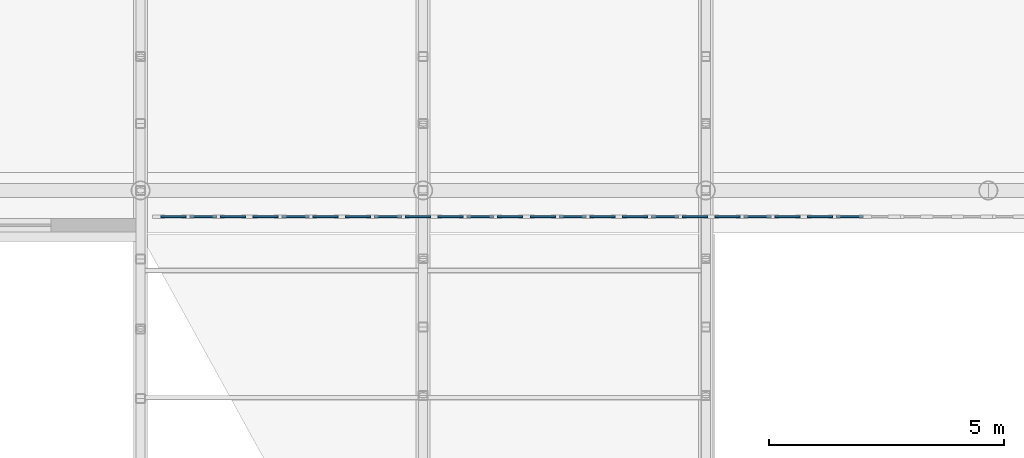
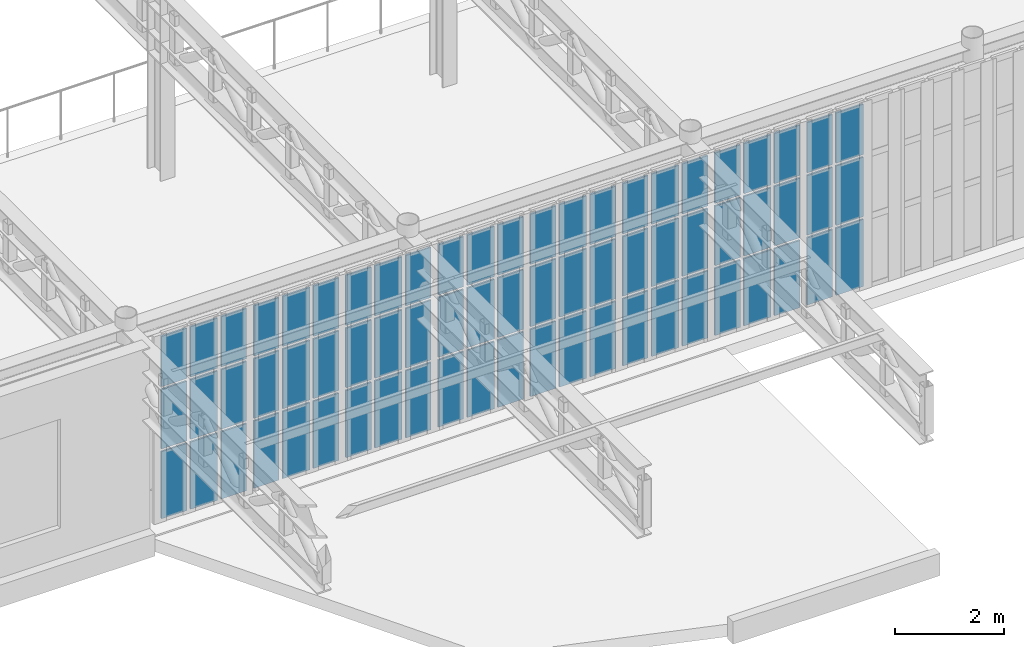
# One storey, part 49 of 91: 69 plates, 8 elements without a shape of their own.
"""IFC4 building model written with IfcOpenShell, lengths in metres."""

from ifc_helpers import new_model, si_unit, direction, frame, origin, origin_2d, place, context, subcontext, project, spatial, rectangle, extrude, material, layer, layer_set, type_object, element, aggregate, save


model = new_model("IFC4")

# Units and contexts
model_context = context("Model", 3, precision=1e-05, world=origin(), true_north=direction((0.0, 1.0)))
body_context = subcontext(model_context, "Body", "Model", "MODEL_VIEW")
ifc_project = project(units=[si_unit("LENGTHUNIT", "METRE"), si_unit("AREAUNIT", "SQUARE_METRE"), si_unit("VOLUMEUNIT", "CUBIC_METRE"), si_unit("PLANEANGLEUNIT", "RADIAN"), si_unit("MASSUNIT", "GRAM", prefix="KILO")], contexts=[model_context])

# Site, building, storey
site_placement = place(None, origin())
site = spatial("IfcSite", under=ifc_project, at=site_placement, CompositionType="ELEMENT")
building_placement = place(site_placement, origin())
building = spatial("IfcBuilding", under=site, at=building_placement, Name="Kolvaren Corner Interchange", CompositionType="ELEMENT")
storey_placement = place(building_placement, frame((0.0, 0.0, 6.0)))
storey = spatial("IfcBuildingStorey", under=building, at=storey_placement, Name="L02", CompositionType="ELEMENT", Elevation=6.0)

# Curtain wall, plates
ifc_material_1 = material(Name="Unitised Aluminium and Solar-Control Glass Curtain Wall", Category="aluminium")
curtain_wall_type = type_object("IfcCurtainWallType", Name="CW-V1-MEZZ", PredefinedType="NOTDEFINED", material=ifc_material_1)
curtain_wall_1_placement = place(storey_placement, origin())
curtain_wall_1 = element("IfcCurtainWall", 1, at=curtain_wall_1_placement, inside=storey, type_object=curtain_wall_type, Name="South Portal Mezzanine Curtain Wall Bay 01", PredefinedType="NOTDEFINED")
ifc_material_2 = material(Name="Low-E Solar-Control Laminated Glass", Category="glass")
ifc_layer = layer(ifc_material_2, 0.035888671875)
ifc_layer_set = layer_set([ifc_layer], Name="Low-E Solar-Control Laminated Glass")
plate_type = type_object("IfcPlateType", Name="PLT-CW-GL32", PredefinedType="CURTAIN_PANEL", material=ifc_layer_set)
plate_1_placement = place(storey_placement, frame((72.695556640625, 24.340087890625, 0.06005859375), z_axis=(0.0, 0.0, 1.0), x_axis=(1.0, 0.0, 0.0)))
plate_1 = element("IfcPlate", 2, at=plate_1_placement, type_object=plate_type, Name="CW-019 panel 1.1", PredefinedType="CURTAIN_PANEL", context=body_context, shape_type="SweptSolid", body=[
    extrude(rectangle(XDim=0.541259765625, YDim=0.035888671875, at=origin_2d()), origin(), (0.0, 0.0, 1.0), 1.510009765625),
])
plate_2_placement = place(storey_placement, frame((72.695556640625, 24.340087890625, 1.6298828125), z_axis=(0.0, 0.0, 1.0), x_axis=(1.0, 0.0, 0.0)))
plate_2 = element("IfcPlate", 3, at=plate_2_placement, type_object=plate_type, Name="CW-019 panel 1.2", PredefinedType="CURTAIN_PANEL", context=body_context, shape_type="SweptSolid", body=[
    extrude(rectangle(XDim=0.541259765625, YDim=0.035888671875, at=origin_2d()), origin(), (0.0, 0.0, 1.0), 1.340087890625),
])
plate_3_placement = place(storey_placement, frame((72.695556640625, 24.340087890625, 3.030029296875), z_axis=(0.0, 0.0, 1.0), x_axis=(1.0, 0.0, 0.0)))
plate_3 = element("IfcPlate", 4, at=plate_3_placement, type_object=plate_type, Name="CW-019 panel 1.3", PredefinedType="CURTAIN_PANEL", context=body_context, shape_type="SweptSolid", body=[
    extrude(rectangle(XDim=0.541259765625, YDim=0.035888671875, at=origin_2d()), origin(), (0.0, 0.0, 1.0), 1.1298828125),
])
plate_4_placement = place(storey_placement, frame((73.33056640625, 24.340087890625, 0.06005859375), z_axis=(0.0, 0.0, 1.0), x_axis=(1.0, 0.0, 0.0)))
plate_4 = element("IfcPlate", 5, at=plate_4_placement, type_object=plate_type, Name="CW-019 panel 2.1", PredefinedType="CURTAIN_PANEL", context=body_context, shape_type="SweptSolid", body=[
    extrude(rectangle(XDim=0.57861328125, YDim=0.035888671875, at=origin_2d()), origin(), (0.0, 0.0, 1.0), 1.510009765625),
])
plate_5_placement = place(storey_placement, frame((73.33056640625, 24.340087890625, 1.6298828125), z_axis=(0.0, 0.0, 1.0), x_axis=(1.0, 0.0, 0.0)))
plate_5 = element("IfcPlate", 6, at=plate_5_placement, type_object=plate_type, Name="CW-019 panel 2.2", PredefinedType="CURTAIN_PANEL", context=body_context, shape_type="SweptSolid", body=[
    extrude(rectangle(XDim=0.57861328125, YDim=0.035888671875, at=origin_2d()), origin(), (0.0, 0.0, 1.0), 1.340087890625),
])
plate_6_placement = place(storey_placement, frame((73.33056640625, 24.340087890625, 3.030029296875), z_axis=(0.0, 0.0, 1.0), x_axis=(1.0, 0.0, 0.0)))
plate_6 = element("IfcPlate", 7, at=plate_6_placement, type_object=plate_type, Name="CW-019 panel 2.3", PredefinedType="CURTAIN_PANEL", context=body_context, shape_type="SweptSolid", body=[
    extrude(rectangle(XDim=0.57861328125, YDim=0.035888671875, at=origin_2d()), origin(), (0.0, 0.0, 1.0), 1.1298828125),
])
plate_7_placement = place(storey_placement, frame((73.965576171875, 24.340087890625, 0.06005859375), z_axis=(0.0, 0.0, 1.0), x_axis=(1.0, 0.0, 0.0)))
plate_7 = element("IfcPlate", 8, at=plate_7_placement, type_object=plate_type, Name="CW-019 panel 3.1", PredefinedType="CURTAIN_PANEL", context=body_context, shape_type="SweptSolid", body=[
    extrude(rectangle(XDim=0.541259765625, YDim=0.035888671875, at=origin_2d()), origin(), (0.0, 0.0, 1.0), 1.510009765625),
])
plate_8_placement = place(storey_placement, frame((73.965576171875, 24.340087890625, 1.6298828125), z_axis=(0.0, 0.0, 1.0), x_axis=(1.0, 0.0, 0.0)))
plate_8 = element("IfcPlate", 9, at=plate_8_placement, type_object=plate_type, Name="CW-019 panel 3.2", PredefinedType="CURTAIN_PANEL", context=body_context, shape_type="SweptSolid", body=[
    extrude(rectangle(XDim=0.541259765625, YDim=0.035888671875, at=origin_2d()), origin(), (0.0, 0.0, 1.0), 1.340087890625),
])
plate_9_placement = place(storey_placement, frame((73.965576171875, 24.340087890625, 3.030029296875), z_axis=(0.0, 0.0, 1.0), x_axis=(1.0, 0.0, 0.0)))
plate_9 = element("IfcPlate", 10, at=plate_9_placement, type_object=plate_type, Name="CW-019 panel 3.3", PredefinedType="CURTAIN_PANEL", context=body_context, shape_type="SweptSolid", body=[
    extrude(rectangle(XDim=0.541259765625, YDim=0.035888671875, at=origin_2d()), origin(), (0.0, 0.0, 1.0), 1.1298828125),
])
aggregate(curtain_wall_1, [plate_1, plate_2, plate_3, plate_4, plate_5, plate_6, plate_7, plate_8, plate_9])

curtain_wall_2_placement = place(storey_placement, origin())
curtain_wall_2 = element("IfcCurtainWall", 11, at=curtain_wall_2_placement, inside=storey, type_object=curtain_wall_type, Name="South Portal Mezzanine Curtain Wall Bay 02", PredefinedType="NOTDEFINED")
plate_10_placement = place(storey_placement, frame((74.65673828125, 24.340087890625, 0.06005859375), z_axis=(0.0, 0.0, 1.0), x_axis=(1.0, 0.0, 0.0)))
plate_10 = element("IfcPlate", 12, at=plate_10_placement, type_object=plate_type, Name="CW-020 panel 1.1", PredefinedType="CURTAIN_PANEL", context=body_context, shape_type="SweptSolid", body=[
    extrude(rectangle(XDim=0.541259765625, YDim=0.035888671875, at=origin_2d()), origin(), (0.0, 0.0, 1.0), 1.510009765625),
])
plate_11_placement = place(storey_placement, frame((74.65673828125, 24.340087890625, 1.6298828125), z_axis=(0.0, 0.0, 1.0), x_axis=(1.0, 0.0, 0.0)))
plate_11 = element("IfcPlate", 13, at=plate_11_placement, type_object=plate_type, Name="CW-020 panel 1.2", PredefinedType="CURTAIN_PANEL", context=body_context, shape_type="SweptSolid", body=[
    extrude(rectangle(XDim=0.541259765625, YDim=0.035888671875, at=origin_2d()), origin(), (0.0, 0.0, 1.0), 1.340087890625),
])
plate_12_placement = place(storey_placement, frame((74.65673828125, 24.340087890625, 3.030029296875), z_axis=(0.0, 0.0, 1.0), x_axis=(1.0, 0.0, 0.0)))
plate_12 = element("IfcPlate", 14, at=plate_12_placement, type_object=plate_type, Name="CW-020 panel 1.3", PredefinedType="CURTAIN_PANEL", context=body_context, shape_type="SweptSolid", body=[
    extrude(rectangle(XDim=0.541259765625, YDim=0.035888671875, at=origin_2d()), origin(), (0.0, 0.0, 1.0), 1.1298828125),
])
plate_13_placement = place(storey_placement, frame((75.291748046875, 24.340087890625, 0.06005859375), z_axis=(0.0, 0.0, 1.0), x_axis=(1.0, 0.0, 0.0)))
plate_13 = element("IfcPlate", 15, at=plate_13_placement, type_object=plate_type, Name="CW-020 panel 2.1", PredefinedType="CURTAIN_PANEL", context=body_context, shape_type="SweptSolid", body=[
    extrude(rectangle(XDim=0.57861328125, YDim=0.035888671875, at=origin_2d()), origin(), (0.0, 0.0, 1.0), 1.510009765625),
])
plate_14_placement = place(storey_placement, frame((75.291748046875, 24.340087890625, 1.6298828125), z_axis=(0.0, 0.0, 1.0), x_axis=(1.0, 0.0, 0.0)))
plate_14 = element("IfcPlate", 16, at=plate_14_placement, type_object=plate_type, Name="CW-020 panel 2.2", PredefinedType="CURTAIN_PANEL", context=body_context, shape_type="SweptSolid", body=[
    extrude(rectangle(XDim=0.57861328125, YDim=0.035888671875, at=origin_2d()), origin(), (0.0, 0.0, 1.0), 1.340087890625),
])
plate_15_placement = place(storey_placement, frame((75.291748046875, 24.340087890625, 3.030029296875), z_axis=(0.0, 0.0, 1.0), x_axis=(1.0, 0.0, 0.0)))
plate_15 = element("IfcPlate", 17, at=plate_15_placement, type_object=plate_type, Name="CW-020 panel 2.3", PredefinedType="CURTAIN_PANEL", context=body_context, shape_type="SweptSolid", body=[
    extrude(rectangle(XDim=0.57861328125, YDim=0.035888671875, at=origin_2d()), origin(), (0.0, 0.0, 1.0), 1.1298828125),
])
plate_16_placement = place(storey_placement, frame((75.926513671875, 24.340087890625, 0.06005859375), z_axis=(0.0, 0.0, 1.0), x_axis=(1.0, 0.0, 0.0)))
plate_16 = element("IfcPlate", 18, at=plate_16_placement, type_object=plate_type, Name="CW-020 panel 3.1", PredefinedType="CURTAIN_PANEL", context=body_context, shape_type="SweptSolid", body=[
    extrude(rectangle(XDim=0.541259765625, YDim=0.035888671875, at=origin_2d()), origin(), (0.0, 0.0, 1.0), 1.510009765625),
])
plate_17_placement = place(storey_placement, frame((75.926513671875, 24.340087890625, 1.6298828125), z_axis=(0.0, 0.0, 1.0), x_axis=(1.0, 0.0, 0.0)))
plate_17 = element("IfcPlate", 19, at=plate_17_placement, type_object=plate_type, Name="CW-020 panel 3.2", PredefinedType="CURTAIN_PANEL", context=body_context, shape_type="SweptSolid", body=[
    extrude(rectangle(XDim=0.541259765625, YDim=0.035888671875, at=origin_2d()), origin(), (0.0, 0.0, 1.0), 1.340087890625),
])
plate_18_placement = place(storey_placement, frame((75.926513671875, 24.340087890625, 3.030029296875), z_axis=(0.0, 0.0, 1.0), x_axis=(1.0, 0.0, 0.0)))
plate_18 = element("IfcPlate", 20, at=plate_18_placement, type_object=plate_type, Name="CW-020 panel 3.3", PredefinedType="CURTAIN_PANEL", context=body_context, shape_type="SweptSolid", body=[
    extrude(rectangle(XDim=0.541259765625, YDim=0.035888671875, at=origin_2d()), origin(), (0.0, 0.0, 1.0), 1.1298828125),
])
aggregate(curtain_wall_2, [plate_10, plate_11, plate_12, plate_13, plate_14, plate_15, plate_16, plate_17, plate_18])

curtain_wall_3_placement = place(storey_placement, origin())
curtain_wall_3 = element("IfcCurtainWall", 21, at=curtain_wall_3_placement, inside=storey, type_object=curtain_wall_type, Name="South Portal Mezzanine Curtain Wall Bay 03", PredefinedType="NOTDEFINED")
plate_19_placement = place(storey_placement, frame((76.617919921875, 24.340087890625, 0.06005859375), z_axis=(0.0, 0.0, 1.0), x_axis=(1.0, 0.0, 0.0)))
plate_19 = element("IfcPlate", 22, at=plate_19_placement, type_object=plate_type, Name="CW-021 panel 1.1", PredefinedType="CURTAIN_PANEL", context=body_context, shape_type="SweptSolid", body=[
    extrude(rectangle(XDim=0.541259765625, YDim=0.035888671875, at=origin_2d()), origin(), (0.0, 0.0, 1.0), 1.510009765625),
])
plate_20_placement = place(storey_placement, frame((76.617919921875, 24.340087890625, 1.6298828125), z_axis=(0.0, 0.0, 1.0), x_axis=(1.0, 0.0, 0.0)))
plate_20 = element("IfcPlate", 23, at=plate_20_placement, type_object=plate_type, Name="CW-021 panel 1.2", PredefinedType="CURTAIN_PANEL", context=body_context, shape_type="SweptSolid", body=[
    extrude(rectangle(XDim=0.541259765625, YDim=0.035888671875, at=origin_2d()), origin(), (0.0, 0.0, 1.0), 1.340087890625),
])
plate_21_placement = place(storey_placement, frame((76.617919921875, 24.340087890625, 3.030029296875), z_axis=(0.0, 0.0, 1.0), x_axis=(1.0, 0.0, 0.0)))
plate_21 = element("IfcPlate", 24, at=plate_21_placement, type_object=plate_type, Name="CW-021 panel 1.3", PredefinedType="CURTAIN_PANEL", context=body_context, shape_type="SweptSolid", body=[
    extrude(rectangle(XDim=0.541259765625, YDim=0.035888671875, at=origin_2d()), origin(), (0.0, 0.0, 1.0), 1.1298828125),
])
plate_22_placement = place(storey_placement, frame((77.252685546875, 24.340087890625, 0.06005859375), z_axis=(0.0, 0.0, 1.0), x_axis=(1.0, 0.0, 0.0)))
plate_22 = element("IfcPlate", 25, at=plate_22_placement, type_object=plate_type, Name="CW-021 panel 2.1", PredefinedType="CURTAIN_PANEL", context=body_context, shape_type="SweptSolid", body=[
    extrude(rectangle(XDim=0.57861328125, YDim=0.035888671875, at=origin_2d()), origin(), (0.0, 0.0, 1.0), 1.510009765625),
])
plate_23_placement = place(storey_placement, frame((77.252685546875, 24.340087890625, 1.6298828125), z_axis=(0.0, 0.0, 1.0), x_axis=(1.0, 0.0, 0.0)))
plate_23 = element("IfcPlate", 26, at=plate_23_placement, type_object=plate_type, Name="CW-021 panel 2.2", PredefinedType="CURTAIN_PANEL", context=body_context, shape_type="SweptSolid", body=[
    extrude(rectangle(XDim=0.57861328125, YDim=0.035888671875, at=origin_2d()), origin(), (0.0, 0.0, 1.0), 1.340087890625),
])
plate_24_placement = place(storey_placement, frame((77.252685546875, 24.340087890625, 3.030029296875), z_axis=(0.0, 0.0, 1.0), x_axis=(1.0, 0.0, 0.0)))
plate_24 = element("IfcPlate", 27, at=plate_24_placement, type_object=plate_type, Name="CW-021 panel 2.3", PredefinedType="CURTAIN_PANEL", context=body_context, shape_type="SweptSolid", body=[
    extrude(rectangle(XDim=0.57861328125, YDim=0.035888671875, at=origin_2d()), origin(), (0.0, 0.0, 1.0), 1.1298828125),
])
plate_25_placement = place(storey_placement, frame((77.8876953125, 24.340087890625, 0.06005859375), z_axis=(0.0, 0.0, 1.0), x_axis=(1.0, 0.0, 0.0)))
plate_25 = element("IfcPlate", 28, at=plate_25_placement, type_object=plate_type, Name="CW-021 panel 3.1", PredefinedType="CURTAIN_PANEL", context=body_context, shape_type="SweptSolid", body=[
    extrude(rectangle(XDim=0.541259765625, YDim=0.035888671875, at=origin_2d()), origin(), (0.0, 0.0, 1.0), 1.510009765625),
])
plate_26_placement = place(storey_placement, frame((77.8876953125, 24.340087890625, 1.6298828125), z_axis=(0.0, 0.0, 1.0), x_axis=(1.0, 0.0, 0.0)))
plate_26 = element("IfcPlate", 29, at=plate_26_placement, type_object=plate_type, Name="CW-021 panel 3.2", PredefinedType="CURTAIN_PANEL", context=body_context, shape_type="SweptSolid", body=[
    extrude(rectangle(XDim=0.541259765625, YDim=0.035888671875, at=origin_2d()), origin(), (0.0, 0.0, 1.0), 1.340087890625),
])
plate_27_placement = place(storey_placement, frame((77.8876953125, 24.340087890625, 3.030029296875), z_axis=(0.0, 0.0, 1.0), x_axis=(1.0, 0.0, 0.0)))
plate_27 = element("IfcPlate", 30, at=plate_27_placement, type_object=plate_type, Name="CW-021 panel 3.3", PredefinedType="CURTAIN_PANEL", context=body_context, shape_type="SweptSolid", body=[
    extrude(rectangle(XDim=0.541259765625, YDim=0.035888671875, at=origin_2d()), origin(), (0.0, 0.0, 1.0), 1.1298828125),
])
aggregate(curtain_wall_3, [plate_19, plate_20, plate_21, plate_22, plate_23, plate_24, plate_25, plate_26, plate_27])

curtain_wall_4_placement = place(storey_placement, origin())
curtain_wall_4 = element("IfcCurtainWall", 31, at=curtain_wall_4_placement, inside=storey, type_object=curtain_wall_type, Name="South Portal Mezzanine Curtain Wall Bay 04", PredefinedType="NOTDEFINED")
plate_28_placement = place(storey_placement, frame((78.578857421875, 24.340087890625, 0.06005859375), z_axis=(0.0, 0.0, 1.0), x_axis=(1.0, 0.0, 0.0)))
plate_28 = element("IfcPlate", 32, at=plate_28_placement, type_object=plate_type, Name="CW-022 panel 1.1", PredefinedType="CURTAIN_PANEL", context=body_context, shape_type="SweptSolid", body=[
    extrude(rectangle(XDim=0.541259765625, YDim=0.035888671875, at=origin_2d()), origin(), (0.0, 0.0, 1.0), 1.510009765625),
])
plate_29_placement = place(storey_placement, frame((78.578857421875, 24.340087890625, 1.6298828125), z_axis=(0.0, 0.0, 1.0), x_axis=(1.0, 0.0, 0.0)))
plate_29 = element("IfcPlate", 33, at=plate_29_placement, type_object=plate_type, Name="CW-022 panel 1.2", PredefinedType="CURTAIN_PANEL", context=body_context, shape_type="SweptSolid", body=[
    extrude(rectangle(XDim=0.541259765625, YDim=0.035888671875, at=origin_2d()), origin(), (0.0, 0.0, 1.0), 1.340087890625),
])
plate_30_placement = place(storey_placement, frame((78.578857421875, 24.340087890625, 3.030029296875), z_axis=(0.0, 0.0, 1.0), x_axis=(1.0, 0.0, 0.0)))
plate_30 = element("IfcPlate", 34, at=plate_30_placement, type_object=plate_type, Name="CW-022 panel 1.3", PredefinedType="CURTAIN_PANEL", context=body_context, shape_type="SweptSolid", body=[
    extrude(rectangle(XDim=0.541259765625, YDim=0.035888671875, at=origin_2d()), origin(), (0.0, 0.0, 1.0), 1.1298828125),
])
plate_31_placement = place(storey_placement, frame((79.2138671875, 24.340087890625, 0.06005859375), z_axis=(0.0, 0.0, 1.0), x_axis=(1.0, 0.0, 0.0)))
plate_31 = element("IfcPlate", 35, at=plate_31_placement, type_object=plate_type, Name="CW-022 panel 2.1", PredefinedType="CURTAIN_PANEL", context=body_context, shape_type="SweptSolid", body=[
    extrude(rectangle(XDim=0.57861328125, YDim=0.035888671875, at=origin_2d()), origin(), (0.0, 0.0, 1.0), 1.510009765625),
])
plate_32_placement = place(storey_placement, frame((79.2138671875, 24.340087890625, 1.6298828125), z_axis=(0.0, 0.0, 1.0), x_axis=(1.0, 0.0, 0.0)))
plate_32 = element("IfcPlate", 36, at=plate_32_placement, type_object=plate_type, Name="CW-022 panel 2.2", PredefinedType="CURTAIN_PANEL", context=body_context, shape_type="SweptSolid", body=[
    extrude(rectangle(XDim=0.57861328125, YDim=0.035888671875, at=origin_2d()), origin(), (0.0, 0.0, 1.0), 1.340087890625),
])
plate_33_placement = place(storey_placement, frame((79.2138671875, 24.340087890625, 3.030029296875), z_axis=(0.0, 0.0, 1.0), x_axis=(1.0, 0.0, 0.0)))
plate_33 = element("IfcPlate", 37, at=plate_33_placement, type_object=plate_type, Name="CW-022 panel 2.3", PredefinedType="CURTAIN_PANEL", context=body_context, shape_type="SweptSolid", body=[
    extrude(rectangle(XDim=0.57861328125, YDim=0.035888671875, at=origin_2d()), origin(), (0.0, 0.0, 1.0), 1.1298828125),
])
plate_34_placement = place(storey_placement, frame((79.848876953125, 24.340087890625, 0.06005859375), z_axis=(0.0, 0.0, 1.0), x_axis=(1.0, 0.0, 0.0)))
plate_34 = element("IfcPlate", 38, at=plate_34_placement, type_object=plate_type, Name="CW-022 panel 3.1", PredefinedType="CURTAIN_PANEL", context=body_context, shape_type="SweptSolid", body=[
    extrude(rectangle(XDim=0.541259765625, YDim=0.035888671875, at=origin_2d()), origin(), (0.0, 0.0, 1.0), 1.510009765625),
])
plate_35_placement = place(storey_placement, frame((79.848876953125, 24.340087890625, 1.6298828125), z_axis=(0.0, 0.0, 1.0), x_axis=(1.0, 0.0, 0.0)))
plate_35 = element("IfcPlate", 39, at=plate_35_placement, type_object=plate_type, Name="CW-022 panel 3.2", PredefinedType="CURTAIN_PANEL", context=body_context, shape_type="SweptSolid", body=[
    extrude(rectangle(XDim=0.541259765625, YDim=0.035888671875, at=origin_2d()), origin(), (0.0, 0.0, 1.0), 1.340087890625),
])
plate_36_placement = place(storey_placement, frame((79.848876953125, 24.340087890625, 3.030029296875), z_axis=(0.0, 0.0, 1.0), x_axis=(1.0, 0.0, 0.0)))
plate_36 = element("IfcPlate", 40, at=plate_36_placement, type_object=plate_type, Name="CW-022 panel 3.3", PredefinedType="CURTAIN_PANEL", context=body_context, shape_type="SweptSolid", body=[
    extrude(rectangle(XDim=0.541259765625, YDim=0.035888671875, at=origin_2d()), origin(), (0.0, 0.0, 1.0), 1.1298828125),
])
aggregate(curtain_wall_4, [plate_28, plate_29, plate_30, plate_31, plate_32, plate_33, plate_34, plate_35, plate_36])

curtain_wall_5_placement = place(storey_placement, origin())
curtain_wall_5 = element("IfcCurtainWall", 41, at=curtain_wall_5_placement, inside=storey, type_object=curtain_wall_type, Name="South Portal Mezzanine Curtain Wall Bay 05", PredefinedType="NOTDEFINED")
plate_37_placement = place(storey_placement, frame((80.5400390625, 24.340087890625, 0.06005859375), z_axis=(0.0, 0.0, 1.0), x_axis=(1.0, 0.0, 0.0)))
plate_37 = element("IfcPlate", 42, at=plate_37_placement, type_object=plate_type, Name="CW-023 panel 1.1", PredefinedType="CURTAIN_PANEL", context=body_context, shape_type="SweptSolid", body=[
    extrude(rectangle(XDim=0.541259765625, YDim=0.035888671875, at=origin_2d()), origin(), (0.0, 0.0, 1.0), 1.510009765625),
])
plate_38_placement = place(storey_placement, frame((80.5400390625, 24.340087890625, 1.6298828125), z_axis=(0.0, 0.0, 1.0), x_axis=(1.0, 0.0, 0.0)))
plate_38 = element("IfcPlate", 43, at=plate_38_placement, type_object=plate_type, Name="CW-023 panel 1.2", PredefinedType="CURTAIN_PANEL", context=body_context, shape_type="SweptSolid", body=[
    extrude(rectangle(XDim=0.541259765625, YDim=0.035888671875, at=origin_2d()), origin(), (0.0, 0.0, 1.0), 1.340087890625),
])
plate_39_placement = place(storey_placement, frame((80.5400390625, 24.340087890625, 3.030029296875), z_axis=(0.0, 0.0, 1.0), x_axis=(1.0, 0.0, 0.0)))
plate_39 = element("IfcPlate", 44, at=plate_39_placement, type_object=plate_type, Name="CW-023 panel 1.3", PredefinedType="CURTAIN_PANEL", context=body_context, shape_type="SweptSolid", body=[
    extrude(rectangle(XDim=0.541259765625, YDim=0.035888671875, at=origin_2d()), origin(), (0.0, 0.0, 1.0), 1.1298828125),
])
plate_40_placement = place(storey_placement, frame((81.175048828125, 24.340087890625, 0.06005859375), z_axis=(0.0, 0.0, 1.0), x_axis=(1.0, 0.0, 0.0)))
plate_40 = element("IfcPlate", 45, at=plate_40_placement, type_object=plate_type, Name="CW-023 panel 2.1", PredefinedType="CURTAIN_PANEL", context=body_context, shape_type="SweptSolid", body=[
    extrude(rectangle(XDim=0.57861328125, YDim=0.035888671875, at=origin_2d()), origin(), (0.0, 0.0, 1.0), 1.510009765625),
])
plate_41_placement = place(storey_placement, frame((81.175048828125, 24.340087890625, 1.6298828125), z_axis=(0.0, 0.0, 1.0), x_axis=(1.0, 0.0, 0.0)))
plate_41 = element("IfcPlate", 46, at=plate_41_placement, type_object=plate_type, Name="CW-023 panel 2.2", PredefinedType="CURTAIN_PANEL", context=body_context, shape_type="SweptSolid", body=[
    extrude(rectangle(XDim=0.57861328125, YDim=0.035888671875, at=origin_2d()), origin(), (0.0, 0.0, 1.0), 1.340087890625),
])
plate_42_placement = place(storey_placement, frame((81.175048828125, 24.340087890625, 3.030029296875), z_axis=(0.0, 0.0, 1.0), x_axis=(1.0, 0.0, 0.0)))
plate_42 = element("IfcPlate", 47, at=plate_42_placement, type_object=plate_type, Name="CW-023 panel 2.3", PredefinedType="CURTAIN_PANEL", context=body_context, shape_type="SweptSolid", body=[
    extrude(rectangle(XDim=0.57861328125, YDim=0.035888671875, at=origin_2d()), origin(), (0.0, 0.0, 1.0), 1.1298828125),
])
plate_43_placement = place(storey_placement, frame((81.81005859375, 24.340087890625, 0.06005859375), z_axis=(0.0, 0.0, 1.0), x_axis=(1.0, 0.0, 0.0)))
plate_43 = element("IfcPlate", 48, at=plate_43_placement, type_object=plate_type, Name="CW-023 panel 3.1", PredefinedType="CURTAIN_PANEL", context=body_context, shape_type="SweptSolid", body=[
    extrude(rectangle(XDim=0.541259765625, YDim=0.035888671875, at=origin_2d()), origin(), (0.0, 0.0, 1.0), 1.510009765625),
])
plate_44_placement = place(storey_placement, frame((81.81005859375, 24.340087890625, 1.6298828125), z_axis=(0.0, 0.0, 1.0), x_axis=(1.0, 0.0, 0.0)))
plate_44 = element("IfcPlate", 49, at=plate_44_placement, type_object=plate_type, Name="CW-023 panel 3.2", PredefinedType="CURTAIN_PANEL", context=body_context, shape_type="SweptSolid", body=[
    extrude(rectangle(XDim=0.541259765625, YDim=0.035888671875, at=origin_2d()), origin(), (0.0, 0.0, 1.0), 1.340087890625),
])
plate_45_placement = place(storey_placement, frame((81.81005859375, 24.340087890625, 3.030029296875), z_axis=(0.0, 0.0, 1.0), x_axis=(1.0, 0.0, 0.0)))
plate_45 = element("IfcPlate", 50, at=plate_45_placement, type_object=plate_type, Name="CW-023 panel 3.3", PredefinedType="CURTAIN_PANEL", context=body_context, shape_type="SweptSolid", body=[
    extrude(rectangle(XDim=0.541259765625, YDim=0.035888671875, at=origin_2d()), origin(), (0.0, 0.0, 1.0), 1.1298828125),
])
aggregate(curtain_wall_5, [plate_37, plate_38, plate_39, plate_40, plate_41, plate_42, plate_43, plate_44, plate_45])

curtain_wall_6_placement = place(storey_placement, origin())
curtain_wall_6 = element("IfcCurtainWall", 51, at=curtain_wall_6_placement, inside=storey, type_object=curtain_wall_type, Name="South Portal Mezzanine Curtain Wall Bay 06", PredefinedType="NOTDEFINED")
plate_46_placement = place(storey_placement, frame((82.501220703125, 24.340087890625, 0.06005859375), z_axis=(0.0, 0.0, 1.0), x_axis=(1.0, 0.0, 0.0)))
plate_46 = element("IfcPlate", 52, at=plate_46_placement, type_object=plate_type, Name="CW-024 panel 1.1", PredefinedType="CURTAIN_PANEL", context=body_context, shape_type="SweptSolid", body=[
    extrude(rectangle(XDim=0.541259765625, YDim=0.035888671875, at=origin_2d()), origin(), (0.0, 0.0, 1.0), 1.510009765625),
])
plate_47_placement = place(storey_placement, frame((82.501220703125, 24.340087890625, 1.6298828125), z_axis=(0.0, 0.0, 1.0), x_axis=(1.0, 0.0, 0.0)))
plate_47 = element("IfcPlate", 53, at=plate_47_placement, type_object=plate_type, Name="CW-024 panel 1.2", PredefinedType="CURTAIN_PANEL", context=body_context, shape_type="SweptSolid", body=[
    extrude(rectangle(XDim=0.541259765625, YDim=0.035888671875, at=origin_2d()), origin(), (0.0, 0.0, 1.0), 1.340087890625),
])
plate_48_placement = place(storey_placement, frame((82.501220703125, 24.340087890625, 3.030029296875), z_axis=(0.0, 0.0, 1.0), x_axis=(1.0, 0.0, 0.0)))
plate_48 = element("IfcPlate", 54, at=plate_48_placement, type_object=plate_type, Name="CW-024 panel 1.3", PredefinedType="CURTAIN_PANEL", context=body_context, shape_type="SweptSolid", body=[
    extrude(rectangle(XDim=0.541259765625, YDim=0.035888671875, at=origin_2d()), origin(), (0.0, 0.0, 1.0), 1.1298828125),
])
plate_49_placement = place(storey_placement, frame((83.13623046875, 24.340087890625, 0.06005859375), z_axis=(0.0, 0.0, 1.0), x_axis=(1.0, 0.0, 0.0)))
plate_49 = element("IfcPlate", 55, at=plate_49_placement, type_object=plate_type, Name="CW-024 panel 2.1", PredefinedType="CURTAIN_PANEL", context=body_context, shape_type="SweptSolid", body=[
    extrude(rectangle(XDim=0.57861328125, YDim=0.035888671875, at=origin_2d()), origin(), (0.0, 0.0, 1.0), 1.510009765625),
])
plate_50_placement = place(storey_placement, frame((83.13623046875, 24.340087890625, 1.6298828125), z_axis=(0.0, 0.0, 1.0), x_axis=(1.0, 0.0, 0.0)))
plate_50 = element("IfcPlate", 56, at=plate_50_placement, type_object=plate_type, Name="CW-024 panel 2.2", PredefinedType="CURTAIN_PANEL", context=body_context, shape_type="SweptSolid", body=[
    extrude(rectangle(XDim=0.57861328125, YDim=0.035888671875, at=origin_2d()), origin(), (0.0, 0.0, 1.0), 1.340087890625),
])
plate_51_placement = place(storey_placement, frame((83.13623046875, 24.340087890625, 3.030029296875), z_axis=(0.0, 0.0, 1.0), x_axis=(1.0, 0.0, 0.0)))
plate_51 = element("IfcPlate", 57, at=plate_51_placement, type_object=plate_type, Name="CW-024 panel 2.3", PredefinedType="CURTAIN_PANEL", context=body_context, shape_type="SweptSolid", body=[
    extrude(rectangle(XDim=0.57861328125, YDim=0.035888671875, at=origin_2d()), origin(), (0.0, 0.0, 1.0), 1.1298828125),
])
plate_52_placement = place(storey_placement, frame((83.77099609375, 24.340087890625, 0.06005859375), z_axis=(0.0, 0.0, 1.0), x_axis=(1.0, 0.0, 0.0)))
plate_52 = element("IfcPlate", 58, at=plate_52_placement, type_object=plate_type, Name="CW-024 panel 3.1", PredefinedType="CURTAIN_PANEL", context=body_context, shape_type="SweptSolid", body=[
    extrude(rectangle(XDim=0.541259765625, YDim=0.035888671875, at=origin_2d()), origin(), (0.0, 0.0, 1.0), 1.510009765625),
])
plate_53_placement = place(storey_placement, frame((83.77099609375, 24.340087890625, 1.6298828125), z_axis=(0.0, 0.0, 1.0), x_axis=(1.0, 0.0, 0.0)))
plate_53 = element("IfcPlate", 59, at=plate_53_placement, type_object=plate_type, Name="CW-024 panel 3.2", PredefinedType="CURTAIN_PANEL", context=body_context, shape_type="SweptSolid", body=[
    extrude(rectangle(XDim=0.541259765625, YDim=0.035888671875, at=origin_2d()), origin(), (0.0, 0.0, 1.0), 1.340087890625),
])
plate_54_placement = place(storey_placement, frame((83.77099609375, 24.340087890625, 3.030029296875), z_axis=(0.0, 0.0, 1.0), x_axis=(1.0, 0.0, 0.0)))
plate_54 = element("IfcPlate", 60, at=plate_54_placement, type_object=plate_type, Name="CW-024 panel 3.3", PredefinedType="CURTAIN_PANEL", context=body_context, shape_type="SweptSolid", body=[
    extrude(rectangle(XDim=0.541259765625, YDim=0.035888671875, at=origin_2d()), origin(), (0.0, 0.0, 1.0), 1.1298828125),
])
aggregate(curtain_wall_6, [plate_46, plate_47, plate_48, plate_49, plate_50, plate_51, plate_52, plate_53, plate_54])

curtain_wall_7_placement = place(storey_placement, origin())
curtain_wall_7 = element("IfcCurtainWall", 61, at=curtain_wall_7_placement, inside=storey, type_object=curtain_wall_type, Name="South Portal Mezzanine Curtain Wall Bay 07", PredefinedType="NOTDEFINED")
plate_55_placement = place(storey_placement, frame((84.46240234375, 24.340087890625, 0.06005859375), z_axis=(0.0, 0.0, 1.0), x_axis=(1.0, 0.0, 0.0)))
plate_55 = element("IfcPlate", 62, at=plate_55_placement, type_object=plate_type, Name="CW-025 panel 1.1", PredefinedType="CURTAIN_PANEL", context=body_context, shape_type="SweptSolid", body=[
    extrude(rectangle(XDim=0.541259765625, YDim=0.035888671875, at=origin_2d()), origin(), (0.0, 0.0, 1.0), 1.510009765625),
])
plate_56_placement = place(storey_placement, frame((84.46240234375, 24.340087890625, 1.6298828125), z_axis=(0.0, 0.0, 1.0), x_axis=(1.0, 0.0, 0.0)))
plate_56 = element("IfcPlate", 63, at=plate_56_placement, type_object=plate_type, Name="CW-025 panel 1.2", PredefinedType="CURTAIN_PANEL", context=body_context, shape_type="SweptSolid", body=[
    extrude(rectangle(XDim=0.541259765625, YDim=0.035888671875, at=origin_2d()), origin(), (0.0, 0.0, 1.0), 1.340087890625),
])
plate_57_placement = place(storey_placement, frame((84.46240234375, 24.340087890625, 3.030029296875), z_axis=(0.0, 0.0, 1.0), x_axis=(1.0, 0.0, 0.0)))
plate_57 = element("IfcPlate", 64, at=plate_57_placement, type_object=plate_type, Name="CW-025 panel 1.3", PredefinedType="CURTAIN_PANEL", context=body_context, shape_type="SweptSolid", body=[
    extrude(rectangle(XDim=0.541259765625, YDim=0.035888671875, at=origin_2d()), origin(), (0.0, 0.0, 1.0), 1.1298828125),
])
plate_58_placement = place(storey_placement, frame((85.09716796875, 24.340087890625, 0.06005859375), z_axis=(0.0, 0.0, 1.0), x_axis=(1.0, 0.0, 0.0)))
plate_58 = element("IfcPlate", 65, at=plate_58_placement, type_object=plate_type, Name="CW-025 panel 2.1", PredefinedType="CURTAIN_PANEL", context=body_context, shape_type="SweptSolid", body=[
    extrude(rectangle(XDim=0.57861328125, YDim=0.035888671875, at=origin_2d()), origin(), (0.0, 0.0, 1.0), 1.510009765625),
])
plate_59_placement = place(storey_placement, frame((85.09716796875, 24.340087890625, 1.6298828125), z_axis=(0.0, 0.0, 1.0), x_axis=(1.0, 0.0, 0.0)))
plate_59 = element("IfcPlate", 66, at=plate_59_placement, type_object=plate_type, Name="CW-025 panel 2.2", PredefinedType="CURTAIN_PANEL", context=body_context, shape_type="SweptSolid", body=[
    extrude(rectangle(XDim=0.57861328125, YDim=0.035888671875, at=origin_2d()), origin(), (0.0, 0.0, 1.0), 1.340087890625),
])
plate_60_placement = place(storey_placement, frame((85.09716796875, 24.340087890625, 3.030029296875), z_axis=(0.0, 0.0, 1.0), x_axis=(1.0, 0.0, 0.0)))
plate_60 = element("IfcPlate", 67, at=plate_60_placement, type_object=plate_type, Name="CW-025 panel 2.3", PredefinedType="CURTAIN_PANEL", context=body_context, shape_type="SweptSolid", body=[
    extrude(rectangle(XDim=0.57861328125, YDim=0.035888671875, at=origin_2d()), origin(), (0.0, 0.0, 1.0), 1.1298828125),
])
plate_61_placement = place(storey_placement, frame((85.732177734375, 24.340087890625, 0.06005859375), z_axis=(0.0, 0.0, 1.0), x_axis=(1.0, 0.0, 0.0)))
plate_61 = element("IfcPlate", 68, at=plate_61_placement, type_object=plate_type, Name="CW-025 panel 3.1", PredefinedType="CURTAIN_PANEL", context=body_context, shape_type="SweptSolid", body=[
    extrude(rectangle(XDim=0.541259765625, YDim=0.035888671875, at=origin_2d()), origin(), (0.0, 0.0, 1.0), 1.510009765625),
])
plate_62_placement = place(storey_placement, frame((85.732177734375, 24.340087890625, 1.6298828125), z_axis=(0.0, 0.0, 1.0), x_axis=(1.0, 0.0, 0.0)))
plate_62 = element("IfcPlate", 69, at=plate_62_placement, type_object=plate_type, Name="CW-025 panel 3.2", PredefinedType="CURTAIN_PANEL", context=body_context, shape_type="SweptSolid", body=[
    extrude(rectangle(XDim=0.541259765625, YDim=0.035888671875, at=origin_2d()), origin(), (0.0, 0.0, 1.0), 1.340087890625),
])
plate_63_placement = place(storey_placement, frame((85.732177734375, 24.340087890625, 3.030029296875), z_axis=(0.0, 0.0, 1.0), x_axis=(1.0, 0.0, 0.0)))
plate_63 = element("IfcPlate", 70, at=plate_63_placement, type_object=plate_type, Name="CW-025 panel 3.3", PredefinedType="CURTAIN_PANEL", context=body_context, shape_type="SweptSolid", body=[
    extrude(rectangle(XDim=0.541259765625, YDim=0.035888671875, at=origin_2d()), origin(), (0.0, 0.0, 1.0), 1.1298828125),
])
aggregate(curtain_wall_7, [plate_55, plate_56, plate_57, plate_58, plate_59, plate_60, plate_61, plate_62, plate_63])

curtain_wall_8_placement = place(storey_placement, origin())
curtain_wall_8 = element("IfcCurtainWall", 71, at=curtain_wall_8_placement, inside=storey, type_object=curtain_wall_type, Name="South Portal Mezzanine Curtain Wall Bay 08", PredefinedType="NOTDEFINED")
plate_64_placement = place(storey_placement, frame((86.42333984375, 24.340087890625, 0.06005859375), z_axis=(0.0, 0.0, 1.0), x_axis=(1.0, 0.0, 0.0)))
plate_64 = element("IfcPlate", 72, at=plate_64_placement, type_object=plate_type, Name="CW-026 panel 1.1", PredefinedType="CURTAIN_PANEL", context=body_context, shape_type="SweptSolid", body=[
    extrude(rectangle(XDim=0.541259765625, YDim=0.035888671875, at=origin_2d()), origin(), (0.0, 0.0, 1.0), 1.510009765625),
])
plate_65_placement = place(storey_placement, frame((86.42333984375, 24.340087890625, 1.6298828125), z_axis=(0.0, 0.0, 1.0), x_axis=(1.0, 0.0, 0.0)))
plate_65 = element("IfcPlate", 73, at=plate_65_placement, type_object=plate_type, Name="CW-026 panel 1.2", PredefinedType="CURTAIN_PANEL", context=body_context, shape_type="SweptSolid", body=[
    extrude(rectangle(XDim=0.541259765625, YDim=0.035888671875, at=origin_2d()), origin(), (0.0, 0.0, 1.0), 1.340087890625),
])
plate_66_placement = place(storey_placement, frame((86.42333984375, 24.340087890625, 3.030029296875), z_axis=(0.0, 0.0, 1.0), x_axis=(1.0, 0.0, 0.0)))
plate_66 = element("IfcPlate", 74, at=plate_66_placement, type_object=plate_type, Name="CW-026 panel 1.3", PredefinedType="CURTAIN_PANEL", context=body_context, shape_type="SweptSolid", body=[
    extrude(rectangle(XDim=0.541259765625, YDim=0.035888671875, at=origin_2d()), origin(), (0.0, 0.0, 1.0), 1.1298828125),
])
plate_67_placement = place(storey_placement, frame((87.058349609375, 24.340087890625, 0.06005859375), z_axis=(0.0, 0.0, 1.0), x_axis=(1.0, 0.0, 0.0)))
plate_67 = element("IfcPlate", 75, at=plate_67_placement, type_object=plate_type, Name="CW-026 panel 2.1", PredefinedType="CURTAIN_PANEL", context=body_context, shape_type="SweptSolid", body=[
    extrude(rectangle(XDim=0.57861328125, YDim=0.035888671875, at=origin_2d()), origin(), (0.0, 0.0, 1.0), 1.510009765625),
])
plate_68_placement = place(storey_placement, frame((87.058349609375, 24.340087890625, 1.6298828125), z_axis=(0.0, 0.0, 1.0), x_axis=(1.0, 0.0, 0.0)))
plate_68 = element("IfcPlate", 76, at=plate_68_placement, type_object=plate_type, Name="CW-026 panel 2.2", PredefinedType="CURTAIN_PANEL", context=body_context, shape_type="SweptSolid", body=[
    extrude(rectangle(XDim=0.57861328125, YDim=0.035888671875, at=origin_2d()), origin(), (0.0, 0.0, 1.0), 1.340087890625),
])
plate_69_placement = place(storey_placement, frame((87.058349609375, 24.340087890625, 3.030029296875), z_axis=(0.0, 0.0, 1.0), x_axis=(1.0, 0.0, 0.0)))
plate_69 = element("IfcPlate", 77, at=plate_69_placement, type_object=plate_type, Name="CW-026 panel 2.3", PredefinedType="CURTAIN_PANEL", context=body_context, shape_type="SweptSolid", body=[
    extrude(rectangle(XDim=0.57861328125, YDim=0.035888671875, at=origin_2d()), origin(), (0.0, 0.0, 1.0), 1.1298828125),
])
aggregate(curtain_wall_8, [plate_64, plate_65, plate_66, plate_67, plate_68, plate_69])

save(model, "model.ifc")
